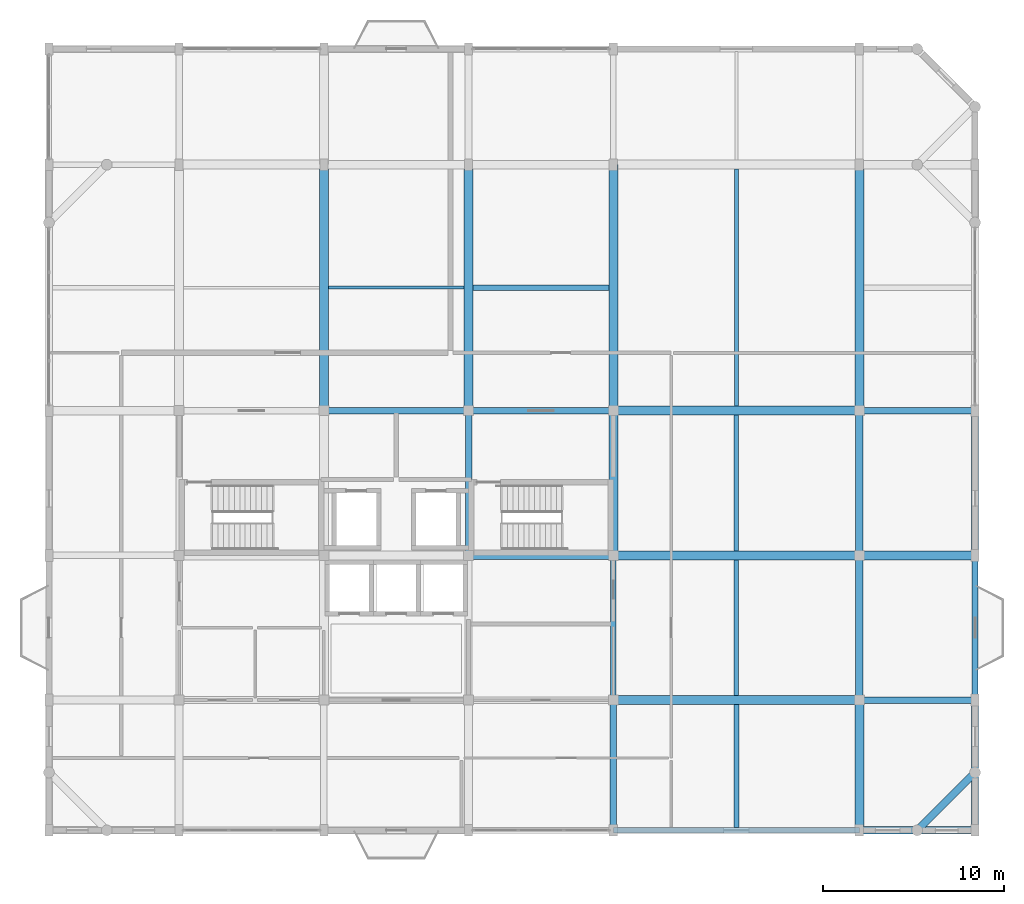
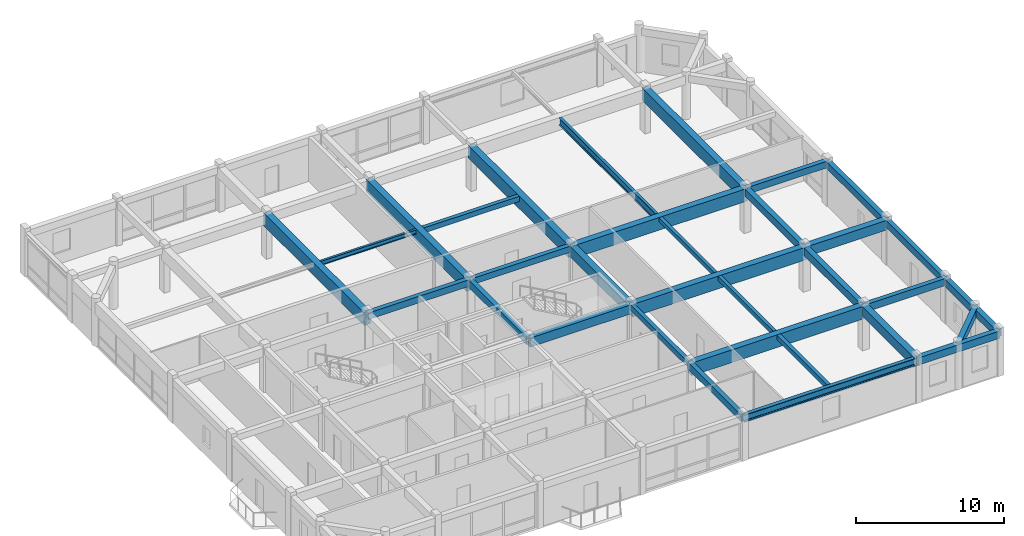
# One storey, part 4 of 13: 32 beams.
"""IFC4 building model written with IfcOpenShell, lengths in metres."""

import ifcopenshell
import ifcopenshell.guid

model = None  # the IFC model being written
_history = None  # IfcOwnerHistory: only IFC2X3 demands one
_inside = {}  # id of a spatial element -> (the spatial element, [elements in it])
_under = {}  # id of a project, library or spatial element -> (it, [spatial elements below it])
_declared = {}  # id of a project -> (the project, [libraries it declares])
_typed = {}  # id of a type object -> (the type object, [elements of that type])
_made_of = {}  # id of a material, layer set ... -> (it, [elements and type objects made of it])


def new_model(schema):
    """Start an empty IFC model of exactly this schema.

    Asked for "IFC4X3", IfcOpenShell would pick the latest addendum, in which some entities
    have other attributes; the version numbers below select the first issue.
    IFC2X3 requires an IfcOwnerHistory on every rooted entity: one is made here for all.
    """
    global model, _history
    if schema == "IFC4X3":
        model = ifcopenshell.file(schema_version=(4, 3, 0, 0))
    else:
        model = ifcopenshell.file(schema=schema)
    _inside.clear()
    _under.clear()
    _declared.clear()
    _typed.clear()
    _made_of.clear()
    _history = None
    if model.schema == "IFC2X3":
        org = make("IfcOrganization", Name="unknown")
        user = make(
            "IfcPersonAndOrganization",
            ThePerson=make("IfcPerson", FamilyName="unknown"),
            TheOrganization=org,
        )
        app = make(
            "IfcApplication",
            ApplicationDeveloper=org,
            Version="unknown",
            ApplicationFullName="unknown",
            ApplicationIdentifier="unknown",
        )
        _history = make(
            "IfcOwnerHistory",
            OwningUser=user,
            OwningApplication=app,
            ChangeAction="ADDED",
            CreationDate=0,
        )
    return model


def make(cls, **values):
    """One entity of the class cls with the attributes given. An attribute that is None is left unset."""
    return model.create_entity(
        cls, **{name: value for name, value in values.items() if value is not None}
    )


def rooted(cls, **values):
    """An entity with a GlobalId (a new one), such as an element, a storey or a relation."""
    return make(cls, GlobalId=ifcopenshell.guid.new(), OwnerHistory=_history, **values)


def si_unit(unit_type, name, prefix=None):
    """IfcSIUnit, for example si_unit("LENGTHUNIT", "METRE", prefix="MILLI")."""
    return make("IfcSIUnit", UnitType=unit_type, Prefix=prefix, Name=name)


def assignment(units):
    """IfcUnitAssignment: the units of a project."""
    return None if units is None else make("IfcUnitAssignment", Units=units)


def point(xyz):
    """IfcCartesianPoint."""
    return None if xyz is None else make("IfcCartesianPoint", Coordinates=xyz)


def direction(xyz):
    """IfcDirection."""
    return None if xyz is None else make("IfcDirection", DirectionRatios=xyz)


def frame(location, z_axis=None, x_axis=None):
    """IfcAxis2Placement3D, a coordinate frame: its origin and axes. An axis left out is left unset."""
    return make(
        "IfcAxis2Placement3D",
        Location=point(location),
        Axis=direction(z_axis),
        RefDirection=direction(x_axis),
    )


def frame_2d(location, x_axis=None):
    """IfcAxis2Placement2D, a coordinate frame in the plane: its origin and x axis."""
    return make(
        "IfcAxis2Placement2D", Location=point(location), RefDirection=direction(x_axis)
    )


def origin():
    """The frame at (0, 0, 0) with its axes left unset."""
    return frame((0.0, 0.0, 0.0))


def origin_2d():
    """The frame at (0, 0) in the plane with its x axis left unset."""
    return frame_2d((0.0, 0.0))


def place(relative_to, where):
    """IfcLocalPlacement: puts the frame where relative to a parent placement (None: the world)."""
    return make(
        "IfcLocalPlacement", PlacementRelTo=relative_to, RelativePlacement=where
    )


def context(
    kind, dimensions, precision=None, world=None, true_north=None, identifier=None
):
    """IfcGeometricRepresentationContext, for example the 3D "Model" context."""
    return make(
        "IfcGeometricRepresentationContext",
        ContextIdentifier=identifier,
        ContextType=kind,
        CoordinateSpaceDimension=dimensions,
        Precision=precision,
        WorldCoordinateSystem=world,
        TrueNorth=true_north,
    )


def subcontext(parent, identifier, kind, view, scale=None):
    """IfcGeometricRepresentationSubContext, for example "Body" below "Model"."""
    return make(
        "IfcGeometricRepresentationSubContext",
        ContextIdentifier=identifier,
        ContextType=kind,
        ParentContext=parent,
        TargetScale=scale,
        TargetView=view,
    )


def project(units=None, contexts=None):
    """IfcProject with its units and contexts."""
    return rooted(
        "IfcProject",
        Name="project",
        RepresentationContexts=contexts,
        UnitsInContext=assignment(units),
    )


def spatial(cls, under=None, at=None, **own):
    """A site, building, storey or space (cls), placed at a placement, below another one or the project."""
    s = rooted(cls, ObjectPlacement=at, **own)
    if under is not None:
        _under.setdefault(under.id(), (under, []))[1].append(s)
    return s


def profile(cls, at=None, kind="AREA", **sizes):
    """A parametric profile (cls). Its sizes go by their IFC names, for example OverallWidth=200.0."""
    return make(cls, ProfileType=kind, Position=at, **sizes)


def rectangle(**sizes):
    """IfcRectangleProfileDef."""
    return profile("IfcRectangleProfileDef", **sizes)


def i_section(**sizes):
    """IfcIShapeProfileDef."""
    return profile("IfcIShapeProfileDef", **sizes)


def extrude(swept, where, along, depth):
    """IfcExtrudedAreaSolid: the profile swept, set in the frame where, extruded along a direction by depth."""
    return make(
        "IfcExtrudedAreaSolid",
        SweptArea=swept,
        Position=where,
        ExtrudedDirection=direction(along),
        Depth=depth,
    )


def shape(context_of_items, identifier, shape_type, items):
    """IfcShapeRepresentation: the items that make up one representation, for example the "Body"."""
    return make(
        "IfcShapeRepresentation",
        ContextOfItems=context_of_items,
        RepresentationIdentifier=identifier,
        RepresentationType=shape_type,
        Items=items,
    )


def material(Name=None, Category=None):
    """IfcMaterial."""
    return make("IfcMaterial", Name=Name, Category=Category)


def material_profile(
    of_material, cross_section, Name=None, Category=None, Priority=None
):
    """IfcMaterialProfile: a cross section and its material."""
    return make(
        "IfcMaterialProfile",
        Name=Name,
        Material=of_material,
        Profile=cross_section,
        Priority=Priority,
        Category=Category,
    )


def profile_set(profiles, Name=None, composite=None):
    """IfcMaterialProfileSet."""
    return make(
        "IfcMaterialProfileSet",
        Name=Name,
        MaterialProfiles=profiles,
        CompositeProfile=composite,
    )


def made_of(thing, what):
    """Note that an element or type object is made of a material, layer set ...; save() writes the relation."""
    if what is not None:
        _made_of.setdefault(what.id(), (what, []))[1].append(thing)
    return thing


def type_object(cls, material=None, **own):
    """A type object (cls), such as IfcWallType, which elements share."""
    return made_of(rooted(cls, **own), material)


def element(
    cls,
    number,
    at=None,
    inside=None,
    cuts=None,
    type_object=None,
    material=None,
    context=None,
    identifier="Body",
    shape_type=None,
    held_by="IfcProductDefinitionShape",
    body=None,
    shapes=None,
    **own,
):
    """One element of the class cls, such as IfcWall. Its Tag is "e" and its number.

    at: its placement. inside: the storey or other place that contains it. cuts: it is an
    opening in that element (IfcRelVoidsElement). A single representation is given by context,
    identifier, shape_type and body (its items); several are given by shapes. held_by: the class
    of the entity that holds the representations. save() writes the other relations.
    """
    e = rooted(cls, Tag="e%d" % number, ObjectPlacement=at, **own)
    if body is not None:
        shapes = [shape(context, identifier, shape_type, body)]
    if shapes is not None:
        e.Representation = make(held_by, Representations=shapes)
    if inside is not None:
        _inside.setdefault(inside.id(), (inside, []))[1].append(e)
    if cuts is not None:
        rooted(
            "IfcRelVoidsElement", RelatingBuildingElement=cuts, RelatedOpeningElement=e
        )
    if type_object is not None:
        _typed.setdefault(type_object.id(), (type_object, []))[1].append(e)
    return made_of(e, material)


def aggregate(whole, parts):
    """IfcRelAggregates: a whole, such as a stair, and the parts it consists of."""
    return rooted("IfcRelAggregates", RelatingObject=whole, RelatedObjects=parts)


def save(model, path):
    """Write the relations noted so far, then the file.

    IfcRelAggregates (storeys below a building ...), IfcRelContainedInSpatialStructure (elements
    in a storey), IfcRelDefinesByType, IfcRelAssociatesMaterial and IfcRelDeclares: one each for
    every whole, place, type object, material and project.
    """
    for whole, parts in _under.values():
        aggregate(whole, parts)
    for where, things in _inside.values():
        rooted(
            "IfcRelContainedInSpatialStructure",
            RelatedElements=things,
            RelatingStructure=where,
        )
    for kind, things in _typed.values():
        rooted("IfcRelDefinesByType", RelatedObjects=things, RelatingType=kind)
    for what, things in _made_of.values():
        rooted("IfcRelAssociatesMaterial", RelatedObjects=things, RelatingMaterial=what)
    for by, libraries in _declared.values():
        rooted("IfcRelDeclares", RelatingContext=by, RelatedDefinitions=libraries)
    model.write(path)


model = new_model("IFC4")

# Units and contexts
model_context = context("Model", 3, precision=1e-05, world=origin(), true_north=direction((0.0, 1.0)))
body_context = subcontext(model_context, "Body", "Model", "MODEL_VIEW")
ifc_project = project(units=[si_unit("LENGTHUNIT", "METRE"), si_unit("AREAUNIT", "SQUARE_METRE"), si_unit("VOLUMEUNIT", "CUBIC_METRE"), si_unit("PLANEANGLEUNIT", "RADIAN"), si_unit("MASSUNIT", "GRAM", prefix="KILO")], contexts=[model_context])

# Site, building, storey
site_placement = place(None, origin())
site = spatial("IfcSite", under=ifc_project, at=site_placement, CompositionType="ELEMENT")
building_placement = place(site_placement, origin())
building = spatial("IfcBuilding", under=site, at=building_placement, Name="Vellmiral Cinema and Media Centre", CompositionType="ELEMENT")
storey_placement = place(building_placement, frame((0.0, 0.0, 58.699951171875)))
storey = spatial("IfcBuildingStorey", under=building, at=storey_placement, Name="L14", CompositionType="ELEMENT", Elevation=58.699951171875)

# Beams
ifc_material_1 = material(Name="Concrete C40/50", Category="concrete")
ifc_material_profile_1 = material_profile(ifc_material_1, rectangle(XDim=0.300048828125, YDim=0.449951171875, at=origin_2d()), Name="RC 300x450")
ifc_profile_set_1 = profile_set([ifc_material_profile_1], Name="Concrete C40/50")
beam_type_1 = type_object("IfcBeamType", Name="BM-RC-300x450", PredefinedType="BEAM", material=ifc_profile_set_1)
beam_1_placement = place(storey_placement, frame((148.0, 79.199951171875, 3.420166015625), z_axis=(0.0, 1.0, 0.0), x_axis=(-1.0, 0.0, 0.0)))
element("IfcBeam", 1, at=beam_1_placement, inside=storey, type_object=beam_type_1, Name="Grid Beam L14-Y057", PredefinedType="BEAM", context=body_context, shape_type="SweptSolid", body=[
    extrude(rectangle(XDim=0.300048828125, YDim=0.449951171875, at=origin_2d()), origin(), (0.0, 0.0, 1.0), 8.0),
])
ifc_material_2 = material(Name="Concrete C40/50", Category="concrete")
ifc_material_profile_2 = material_profile(ifc_material_2, rectangle(XDim=0.35009765625, YDim=0.5, at=origin_2d()), Name="RC 350x500")
ifc_profile_set_2 = profile_set([ifc_material_profile_2], Name="Concrete C40/50")
beam_type_2 = type_object("IfcBeamType", Name="BM-RC-350x500", PredefinedType="BEAM", material=ifc_profile_set_2)
beam_2_placement = place(storey_placement, frame((140.0, 95.199951171875, 3.39501953125), z_axis=(1.0, 0.0, 0.0), x_axis=(0.0, 1.0, 0.0)))
element("IfcBeam", 2, at=beam_2_placement, inside=storey, type_object=beam_type_2, Name="Grid Beam L14-X022", PredefinedType="BEAM", context=body_context, shape_type="SweptSolid", body=[
    extrude(rectangle(XDim=0.35009765625, YDim=0.5, at=origin_2d()), origin(), (0.0, 0.0, 1.0), 8.0),
])
ifc_material_3 = material(Name="Concrete C40/50", Category="concrete")
ifc_material_profile_3 = material_profile(ifc_material_3, rectangle(XDim=0.35009765625, YDim=0.550048828125, at=origin_2d()), Name="RC 350x550")
ifc_profile_set_3 = profile_set([ifc_material_profile_3], Name="Concrete C40/50")
beam_type_3 = type_object("IfcBeamType", Name="BM-RC-350x550", PredefinedType="BEAM", material=ifc_profile_set_3)
beam_3_placement = place(storey_placement, frame((132.0, 95.199951171875, 3.3701171875), z_axis=(1.0, 0.0, 0.0), x_axis=(0.0, 1.0, 0.0)))
element("IfcBeam", 3, at=beam_3_placement, inside=storey, type_object=beam_type_3, Name="Grid Beam L14-X021", PredefinedType="BEAM", context=body_context, shape_type="SweptSolid", body=[
    extrude(rectangle(XDim=0.35009765625, YDim=0.550048828125, at=origin_2d()), origin(), (0.0, 0.0, 1.0), 8.0),
])
beam_4_placement = place(storey_placement, frame((161.60009765625, 95.199951171875, 3.3701171875), z_axis=(1.0, 0.0, 0.0), x_axis=(0.0, 1.0, 0.0)))
element("IfcBeam", 4, at=beam_4_placement, inside=storey, type_object=beam_type_3, Name="Grid Beam L14-X024", PredefinedType="BEAM", context=body_context, shape_type="SweptSolid", body=[
    extrude(rectangle(XDim=0.35009765625, YDim=0.550048828125, at=origin_2d()), origin(), (0.0, 0.0, 1.0), 6.39990234375),
])
beam_5_placement = place(storey_placement, frame((148.0, 72.0, 3.3701171875), z_axis=(0.0, 1.0, 0.0), x_axis=(-1.0, 0.0, 0.0)))
element("IfcBeam", 5, at=beam_5_placement, inside=storey, type_object=beam_type_3, Name="Grid Beam L14-Y056", PredefinedType="BEAM", context=body_context, shape_type="SweptSolid", body=[
    extrude(rectangle(XDim=0.35009765625, YDim=0.550048828125, at=origin_2d()), origin(), (0.0, 0.0, 1.0), 7.199951171875),
])
ifc_material_4 = material(Name="Concrete C40/50", Category="concrete")
ifc_material_profile_4 = material_profile(ifc_material_4, rectangle(XDim=0.35009765625, YDim=0.60009765625, at=origin_2d()), Name="RC 350x600")
ifc_profile_set_4 = profile_set([ifc_material_profile_4], Name="Concrete C40/50")
beam_type_4 = type_object("IfcBeamType", Name="BM-RC-350x600", PredefinedType="BEAM", material=ifc_profile_set_4)
beam_6_placement = place(storey_placement, frame((161.60009765625, 79.199951171875, 3.344970703125), z_axis=(1.0, 0.0, 0.0), x_axis=(0.0, 1.0, 0.0)))
element("IfcBeam", 6, at=beam_6_placement, inside=storey, type_object=beam_type_4, Name="Grid Beam L14-X012", PredefinedType="BEAM", context=body_context, shape_type="SweptSolid", body=[
    extrude(rectangle(XDim=0.35009765625, YDim=0.60009765625, at=origin_2d()), origin(), (0.0, 0.0, 1.0), 6.39990234375),
])
beam_7_placement = place(storey_placement, frame((140.0, 87.199951171875, 3.344970703125), z_axis=(0.0, 1.0, 0.0), x_axis=(-1.0, 0.0, 0.0)))
element("IfcBeam", 7, at=beam_7_placement, inside=storey, type_object=beam_type_4, Name="Grid Beam L14-Y053", PredefinedType="BEAM", context=body_context, shape_type="SweptSolid", body=[
    extrude(rectangle(XDim=0.35009765625, YDim=0.60009765625, at=origin_2d()), origin(), (0.0, 0.0, 1.0), 8.0),
])
ifc_material_5 = material(Name="Concrete C40/50", Category="concrete")
ifc_material_profile_5 = material_profile(ifc_material_5, rectangle(XDim=0.39990234375, YDim=0.60009765625, at=origin_2d()), Name="RC 400x600")
ifc_profile_set_5 = profile_set([ifc_material_profile_5], Name="Concrete C40/50")
beam_type_5 = type_object("IfcBeamType", Name="BM-RC-400x600", PredefinedType="BEAM", material=ifc_profile_set_5)
beam_8_placement = place(storey_placement, frame((161.60009765625, 87.199951171875, 3.344970703125), z_axis=(0.0, 1.0, 0.0), x_axis=(-1.0, 0.0, 0.0)))
element("IfcBeam", 8, at=beam_8_placement, inside=storey, type_object=beam_type_5, Name="Grid Beam L14-Y063", PredefinedType="BEAM", context=body_context, shape_type="SweptSolid", body=[
    extrude(rectangle(XDim=0.39990234375, YDim=0.60009765625, at=origin_2d()), origin(), (0.0, 0.0, 1.0), 8.0),
])
ifc_material_6 = material(Name="Concrete C40/50", Category="concrete")
ifc_material_profile_6 = material_profile(ifc_material_6, rectangle(XDim=0.39990234375, YDim=0.64990234375, at=origin_2d()), Name="RC 400x650")
ifc_profile_set_6 = profile_set([ifc_material_profile_6], Name="Concrete C40/50")
beam_type_6 = type_object("IfcBeamType", Name="BM-RC-400x650", PredefinedType="BEAM", material=ifc_profile_set_6)
beam_9_placement = place(storey_placement, frame((161.60009765625, 79.199951171875, 3.320068359375), z_axis=(0.0, 1.0, 0.0), x_axis=(-1.0, 0.0, 0.0)))
element("IfcBeam", 9, at=beam_9_placement, inside=storey, type_object=beam_type_6, Name="Grid Beam L14-Y062", PredefinedType="BEAM", context=body_context, shape_type="SweptSolid", body=[
    extrude(rectangle(XDim=0.39990234375, YDim=0.64990234375, at=origin_2d()), origin(), (0.0, 0.0, 1.0), 8.0),
])
ifc_material_7 = material(Name="Concrete C40/50", Category="concrete")
ifc_material_profile_7 = material_profile(ifc_material_7, rectangle(XDim=0.449951171875, YDim=0.75, at=origin_2d()), Name="RC 450x750")
ifc_profile_set_7 = profile_set([ifc_material_profile_7], Name="Concrete C40/50")
beam_type_7 = type_object("IfcBeamType", Name="BM-RC-450x750", PredefinedType="BEAM", material=ifc_profile_set_7)
beam_10_placement = place(storey_placement, frame((140.0, 87.199951171875, 3.27001953125), z_axis=(1.0, 0.0, 0.0), x_axis=(0.0, 1.0, 0.0)))
element("IfcBeam", 10, at=beam_10_placement, inside=storey, type_object=beam_type_7, Name="Grid Beam L14-X016", PredefinedType="BEAM", context=body_context, shape_type="SweptSolid", body=[
    extrude(rectangle(XDim=0.449951171875, YDim=0.75, at=origin_2d()), origin(), (0.0, 0.0, 1.0), 8.0),
])
ifc_material_8 = material(Name="Concrete C40/50", Category="concrete")
ifc_material_profile_8 = material_profile(ifc_material_8, rectangle(XDim=0.5, YDim=0.800048828125, at=origin_2d()), Name="RC 500x800")
ifc_profile_set_8 = profile_set([ifc_material_profile_8], Name="Concrete C40/50")
beam_type_8 = type_object("IfcBeamType", Name="BM-RC-500x800", PredefinedType="BEAM", material=ifc_profile_set_8)
beam_11_placement = place(storey_placement, frame((161.60009765625, 87.199951171875, 3.2451171875), z_axis=(1.0, 0.0, 0.0), x_axis=(0.0, 1.0, 0.0)))
element("IfcBeam", 11, at=beam_11_placement, inside=storey, type_object=beam_type_8, Name="Grid Beam L14-X018", PredefinedType="BEAM", context=body_context, shape_type="SweptSolid", body=[
    extrude(rectangle(XDim=0.5, YDim=0.800048828125, at=origin_2d()), origin(), (0.0, 0.0, 1.0), 6.39990234375),
])
beam_12_placement = place(storey_placement, frame((161.60009765625, 72.0, 3.2451171875), z_axis=(0.0, 1.0, 0.0), x_axis=(-1.0, 0.0, 0.0)))
element("IfcBeam", 12, at=beam_12_placement, inside=storey, type_object=beam_type_8, Name="Grid Beam L14-Y061", PredefinedType="BEAM", context=body_context, shape_type="SweptSolid", body=[
    extrude(rectangle(XDim=0.5, YDim=0.800048828125, at=origin_2d()), origin(), (0.0, 0.0, 1.0), 7.199951171875),
])
ifc_material_9 = material(Name="Concrete C40/50", Category="concrete")
ifc_material_profile_9 = material_profile(ifc_material_9, rectangle(XDim=0.5, YDim=0.85009765625, at=origin_2d()), Name="RC 500x850")
ifc_profile_set_9 = profile_set([ifc_material_profile_9], Name="Concrete C40/50")
beam_type_9 = type_object("IfcBeamType", Name="BM-RC-500x850", PredefinedType="BEAM", material=ifc_profile_set_9)
beam_13_placement = place(storey_placement, frame((148.0, 87.199951171875, 3.219970703125), z_axis=(0.0, 1.0, 0.0), x_axis=(-1.0, 0.0, 0.0)))
element("IfcBeam", 13, at=beam_13_placement, inside=storey, type_object=beam_type_9, Name="Grid Beam L14-Y058", PredefinedType="BEAM", context=body_context, shape_type="SweptSolid", body=[
    extrude(rectangle(XDim=0.5, YDim=0.85009765625, at=origin_2d()), origin(), (0.0, 0.0, 1.0), 8.0),
])
ifc_material_10 = material(Name="Concrete C40/50", Category="concrete")
ifc_material_profile_10 = material_profile(ifc_material_10, rectangle(XDim=0.5, YDim=1.050048828125, at=origin_2d()), Name="RC 500x1050")
ifc_profile_set_10 = profile_set([ifc_material_profile_10], Name="Concrete C40/50")
beam_type_10 = type_object("IfcBeamType", Name="BM-RCG-500x1050", PredefinedType="BEAM", material=ifc_profile_set_10)
for number, where, z_axis, x_axis, name in (
    (14, (148.0, 79.199951171875, 3.1201171875), (1.0, 0.0, 0.0), (0.0, 1.0, 0.0), "Grid Beam L14-X011"),
    (15, (148.0, 87.199951171875, 3.1201171875), (1.0, 0.0, 0.0), (0.0, 1.0, 0.0), "Grid Beam L14-X017"),
    (16, (148.0, 95.199951171875, 3.1201171875), (1.0, 0.0, 0.0), (0.0, 1.0, 0.0), "Grid Beam L14-X023"),
    (17, (132.0, 95.199951171875, 3.1201171875), (0.0, 1.0, 0.0), (-1.0, 0.0, 0.0), "Grid Beam L14-Y049"),
    (18, (140.0, 95.199951171875, 3.1201171875), (0.0, 1.0, 0.0), (-1.0, 0.0, 0.0), "Grid Beam L14-Y054"),
    (19, (148.0, 95.199951171875, 3.1201171875), (0.0, 1.0, 0.0), (-1.0, 0.0, 0.0), "Grid Beam L14-Y059"),
    (20, (161.60009765625, 95.199951171875, 3.1201171875), (0.0, 1.0, 0.0), (-1.0, 0.0, 0.0), "Grid Beam L14-Y064"),
):
    element("IfcBeam", number, at=place(storey_placement, frame(where, z_axis=z_axis, x_axis=x_axis)), inside=storey, type_object=beam_type_10, Name=name, PredefinedType="BEAM", context=body_context, shape_type="SweptSolid", body=[
        extrude(rectangle(XDim=0.5, YDim=1.050048828125, at=origin_2d()), origin(), (0.0, 0.0, 1.0), 13.60009765625),
    ])
ifc_material_11 = material(Name="Concrete C40/50", Category="concrete")
ifc_material_profile_11 = material_profile(ifc_material_11, rectangle(XDim=0.25, YDim=0.35009765625, at=origin_2d()), Name="RC 250x350")
ifc_profile_set_11 = profile_set([ifc_material_profile_11], Name="Concrete C40/50")
beam_type_11 = type_object("IfcBeamType", Name="JST-RC-250x350", PredefinedType="JOIST", material=ifc_profile_set_11)
beam_14_placement = place(storey_placement, frame((154.800048828125, 87.449951171875, 3.469970703125), z_axis=(0.0, 1.0, 0.0), x_axis=(-1.0, 0.0, 0.0)))
element("IfcBeam", 21, at=beam_14_placement, inside=storey, type_object=beam_type_11, Name="Secondary Floor Joist L14-007", PredefinedType="JOIST", context=body_context, shape_type="SweptSolid", body=[
    extrude(rectangle(XDim=0.25, YDim=0.35009765625, at=origin_2d()), origin(), (0.0, 0.0, 1.0), 7.5),
])
ifc_material_12 = material(Name="Concrete C40/50", Category="concrete")
ifc_material_profile_12 = material_profile(ifc_material_12, rectangle(XDim=0.260009765625, YDim=0.3798828125, at=origin_2d()), Name="RC 260x380")
ifc_profile_set_12 = profile_set([ifc_material_profile_12], Name="Concrete C40/50")
beam_type_12 = type_object("IfcBeamType", Name="JST-RC-260x380", PredefinedType="JOIST", material=ifc_profile_set_12)
beam_15_placement = place(storey_placement, frame((154.800048828125, 79.449951171875, 3.455078125), z_axis=(0.0, 1.0, 0.0), x_axis=(-1.0, 0.0, 0.0)))
element("IfcBeam", 22, at=beam_15_placement, inside=storey, type_object=beam_type_12, Name="Secondary Floor Joist L14-006", PredefinedType="JOIST", context=body_context, shape_type="SweptSolid", body=[
    extrude(rectangle(XDim=0.260009765625, YDim=0.3798828125, at=origin_2d()), origin(), (0.0, 0.0, 1.0), 7.5),
])
ifc_material_13 = material(Name="Concrete C40/50", Category="concrete")
ifc_material_profile_13 = material_profile(ifc_material_13, rectangle(XDim=0.280029296875, YDim=0.39990234375, at=origin_2d()), Name="RC 280x400")
ifc_profile_set_13 = profile_set([ifc_material_profile_13], Name="Concrete C40/50")
beam_type_13 = type_object("IfcBeamType", Name="JST-RC-280x400", PredefinedType="JOIST", material=ifc_profile_set_13)
beam_16_placement = place(storey_placement, frame((154.800048828125, 72.14990234375, 3.445068359375), z_axis=(0.0, 1.0, 0.0), x_axis=(-1.0, 0.0, 0.0)))
element("IfcBeam", 23, at=beam_16_placement, inside=storey, type_object=beam_type_13, Name="Secondary Floor Joist L14-005", PredefinedType="JOIST", context=body_context, shape_type="SweptSolid", body=[
    extrude(rectangle(XDim=0.280029296875, YDim=0.39990234375, at=origin_2d()), origin(), (0.0, 0.0, 1.0), 6.800048828125),
])
ifc_material_14 = material(Name="Concrete C40/50", Category="concrete")
ifc_material_profile_14 = material_profile(ifc_material_14, rectangle(XDim=0.300048828125, YDim=0.419921875, at=origin_2d()), Name="RC 300x420")
ifc_profile_set_14 = profile_set([ifc_material_profile_14], Name="Concrete C40/50")
beam_type_14 = type_object("IfcBeamType", Name="JST-RC-300x420", PredefinedType="JOIST", material=ifc_profile_set_14)
beam_17_placement = place(storey_placement, frame((140.25, 102.0, 3.43505859375), z_axis=(1.0, 0.0, 0.0), x_axis=(0.0, 1.0, 0.0)))
element("IfcBeam", 24, at=beam_17_placement, inside=storey, type_object=beam_type_14, Name="Secondary Floor Joist L14-004", PredefinedType="JOIST", context=body_context, shape_type="SweptSolid", body=[
    extrude(rectangle(XDim=0.300048828125, YDim=0.419921875, at=origin_2d()), origin(), (0.0, 0.0, 1.0), 7.5),
])
ifc_material_15 = material(Name="Steel S355", Category="steel")
ifc_material_profile_15 = material_profile(ifc_material_15, i_section(OverallWidth=0.300048828125, OverallDepth=0.60009765625, WebThickness=0.015380859375, FlangeThickness=0.030029296875, FilletRadius=0.027099609375, at=origin_2d()), Name="HEB 600")
ifc_profile_set_15 = profile_set([ifc_material_profile_15], Name="Steel S355")
beam_type_15 = type_object("IfcBeamType", Name="SBM-HEB600-SPD", PredefinedType="SPANDREL", material=ifc_profile_set_15)
beam_18_placement = place(storey_placement, frame((148.0, 72.0, 3.344970703125), z_axis=(1.0, 0.0, 0.0), x_axis=(0.0, 1.0, 0.0)))
element("IfcBeam", 25, at=beam_18_placement, inside=storey, type_object=beam_type_15, Name="Grid Beam L14-X005", PredefinedType="SPANDREL", context=body_context, shape_type="SweptSolid", body=[
    extrude(i_section(OverallWidth=0.300048828125, OverallDepth=0.60009765625, WebThickness=0.015380859375, FlangeThickness=0.030029296875, FilletRadius=0.027099609375, at=origin_2d()), origin(), (0.0, 0.0, 1.0), 13.60009765625),
])
ifc_material_16 = material(Name="Steel S355", Category="steel")
ifc_material_profile_16 = material_profile(ifc_material_16, i_section(OverallWidth=0.169921875, OverallDepth=0.360107421875, WebThickness=0.008056640625, FlangeThickness=0.0126953125, FilletRadius=0.01806640625, at=origin_2d()), Name="IPE 360")
ifc_profile_set_16 = profile_set([ifc_material_profile_16], Name="Steel S355")
beam_type_16 = type_object("IfcBeamType", Name="SBM-IPE360", PredefinedType="JOIST", material=ifc_profile_set_16)
beam_19_placement = place(storey_placement, frame((132.25, 102.0, 3.465087890625), z_axis=(1.0, 0.0, 0.0), x_axis=(0.0, 1.0, 0.0)))
element("IfcBeam", 26, at=beam_19_placement, inside=storey, type_object=beam_type_16, Name="Secondary Floor Joist L14-003", PredefinedType="JOIST", context=body_context, shape_type="SweptSolid", body=[
    extrude(i_section(OverallWidth=0.169921875, OverallDepth=0.360107421875, WebThickness=0.008056640625, FlangeThickness=0.0126953125, FilletRadius=0.01806640625, at=origin_2d()), origin(), (0.0, 0.0, 1.0), 7.5),
])
ifc_material_17 = material(Name="Steel S355", Category="steel")
ifc_material_profile_17 = material_profile(ifc_material_17, i_section(OverallWidth=0.219970703125, OverallDepth=0.60009765625, WebThickness=0.011962890625, FlangeThickness=0.01904296875, FilletRadius=0.02392578125, at=origin_2d()), Name="IPE 600")
ifc_profile_set_17 = profile_set([ifc_material_profile_17], Name="Steel S355")
beam_type_17 = type_object("IfcBeamType", Name="SBM-IPE600", PredefinedType="JOIST", material=ifc_profile_set_17)
beam_20_placement = place(storey_placement, frame((154.800048828125, 95.449951171875, 3.344970703125), z_axis=(0.0, 1.0, 0.0), x_axis=(-1.0, 0.0, 0.0)))
element("IfcBeam", 27, at=beam_20_placement, inside=storey, type_object=beam_type_17, Name="Secondary Floor Joist L14-008", PredefinedType="JOIST", context=body_context, shape_type="SweptSolid", body=[
    extrude(i_section(OverallWidth=0.219970703125, OverallDepth=0.60009765625, WebThickness=0.011962890625, FlangeThickness=0.01904296875, FilletRadius=0.02392578125, at=origin_2d()), origin(), (0.0, 0.0, 1.0), 13.10009765625),
])
ifc_material_18 = material(Name="Concrete C40/50", Category="concrete")
ifc_material_profile_18 = material_profile(ifc_material_18, rectangle(XDim=0.35009765625, YDim=0.56005859375, at=origin_2d()), Name="RC 350x560")
ifc_profile_set_18 = profile_set([ifc_material_profile_18], Name="Concrete C40/50")
beam_type_18 = type_object("IfcBeamType", Name="SPD-RC-350x560", PredefinedType="SPANDREL", material=ifc_profile_set_18)
beam_21_placement = place(storey_placement, frame((168.0, 79.199951171875, 3.364990234375), z_axis=(0.0, 1.0, 0.0), x_axis=(-1.0, 0.0, 0.0)))
element("IfcBeam", 28, at=beam_21_placement, inside=storey, type_object=beam_type_18, Name="Grid Beam L14-Y067", PredefinedType="SPANDREL", context=body_context, shape_type="SweptSolid", body=[
    extrude(rectangle(XDim=0.35009765625, YDim=0.56005859375, at=origin_2d()), origin(), (0.0, 0.0, 1.0), 8.0),
])
ifc_material_19 = material(Name="Concrete C40/50", Category="concrete")
ifc_material_profile_19 = material_profile(ifc_material_19, rectangle(XDim=0.39990234375, YDim=0.60009765625, at=origin_2d()), Name="RC 400x600")
ifc_profile_set_19 = profile_set([ifc_material_profile_19], Name="Concrete C40/50")
beam_type_19 = type_object("IfcBeamType", Name="SPD-RC-400x600", PredefinedType="SPANDREL", material=ifc_profile_set_19)
beam_22_placement = place(storey_placement, frame((161.60009765625, 72.0, 3.344970703125), z_axis=(1.0, 0.0, 0.0), x_axis=(0.0, 1.0, 0.0)))
element("IfcBeam", 29, at=beam_22_placement, inside=storey, type_object=beam_type_19, Name="Grid Beam L14-X006", PredefinedType="SPANDREL", context=body_context, shape_type="SweptSolid", body=[
    extrude(rectangle(XDim=0.39990234375, YDim=0.60009765625, at=origin_2d()), origin(), (0.0, 0.0, 1.0), 6.39990234375),
])
beam_23_placement = place(storey_placement, frame((168.0, 72.0, 3.344970703125), z_axis=(0.0, 1.0, 0.0), x_axis=(-1.0, 0.0, 0.0)))
element("IfcBeam", 30, at=beam_23_placement, inside=storey, type_object=beam_type_19, Name="Grid Beam L14-Y066", PredefinedType="SPANDREL", context=body_context, shape_type="SweptSolid", body=[
    extrude(rectangle(XDim=0.39990234375, YDim=0.60009765625, at=origin_2d()), origin(), (0.0, 0.0, 1.0), 7.199951171875),
])
beam_24_placement = place(storey_placement, frame((164.800048828125, 72.0, 3.344970703125), z_axis=(0.707106781187, 0.707106781187, 0.0), x_axis=(-0.707106781187, 0.707106781187, 0.0)))
element("IfcBeam", 31, at=beam_24_placement, inside=storey, type_object=beam_type_19, Name="Xamfra Chamfer Spandrel Beam L14-072", PredefinedType="SPANDREL", context=body_context, shape_type="SweptSolid", body=[
    extrude(rectangle(XDim=0.39990234375, YDim=0.60009765625, at=origin_2d()), origin(), (0.0, 0.0, 1.0), 4.525390625),
])
ifc_material_20 = material(Name="Vosges Red Sandstone Masonry", Category="masonry")
ifc_material_profile_20 = material_profile(ifc_material_20, rectangle(XDim=0.3798828125, YDim=0.580078125, at=origin_2d()), Name="SAND 380x580")
ifc_profile_set_20 = profile_set([ifc_material_profile_20], Name="Vosges Red Sandstone Masonry")
beam_type_20 = type_object("IfcBeamType", Name="SPD-SAND-380x580", PredefinedType="SPANDREL", material=ifc_profile_set_20)
beam_25_placement = place(storey_placement, frame((168.0, 87.199951171875, 3.35498046875), z_axis=(0.0, 1.0, 0.0), x_axis=(-1.0, 0.0, 0.0)))
element("IfcBeam", 32, at=beam_25_placement, inside=storey, type_object=beam_type_20, Name="Grid Beam L14-Y068", PredefinedType="SPANDREL", context=body_context, shape_type="SweptSolid", body=[
    extrude(rectangle(XDim=0.3798828125, YDim=0.580078125, at=origin_2d()), origin(), (0.0, 0.0, 1.0), 8.0),
])

save(model, "model.ifc")
